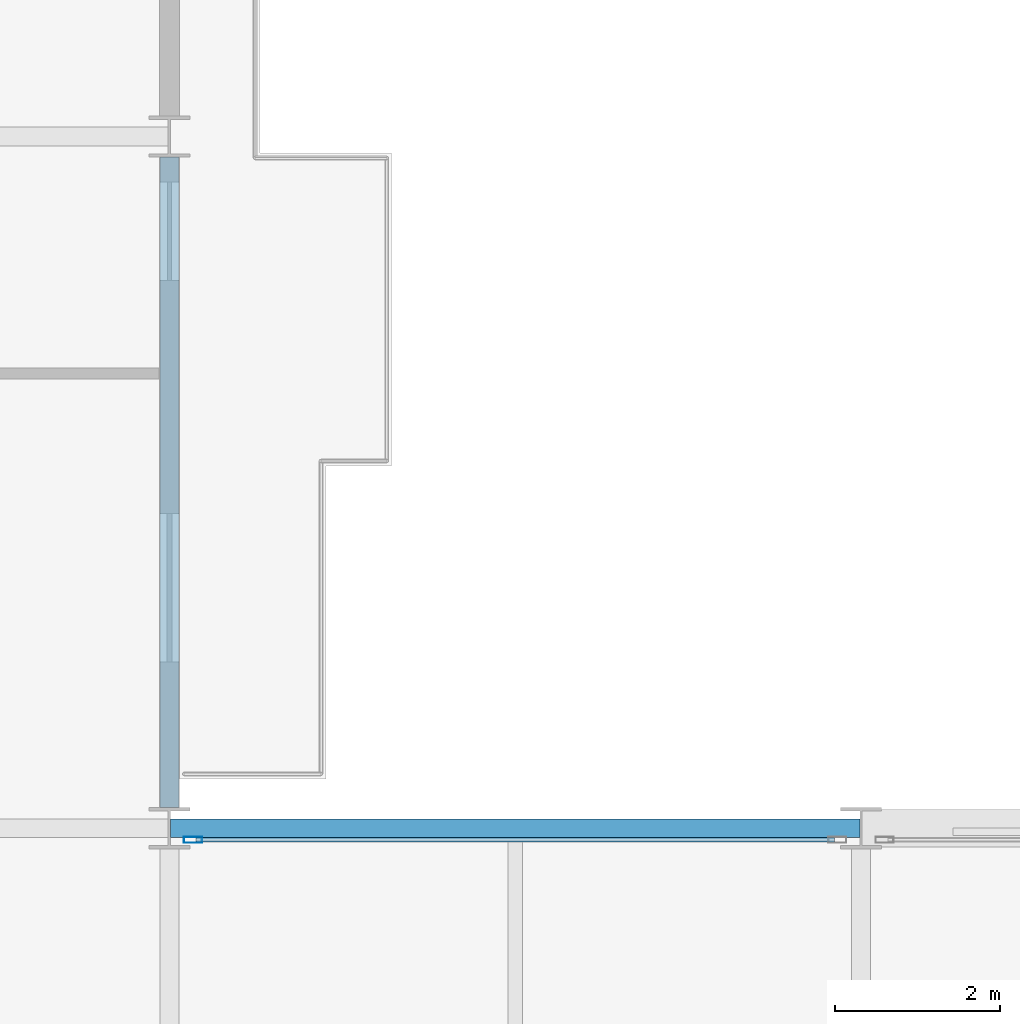
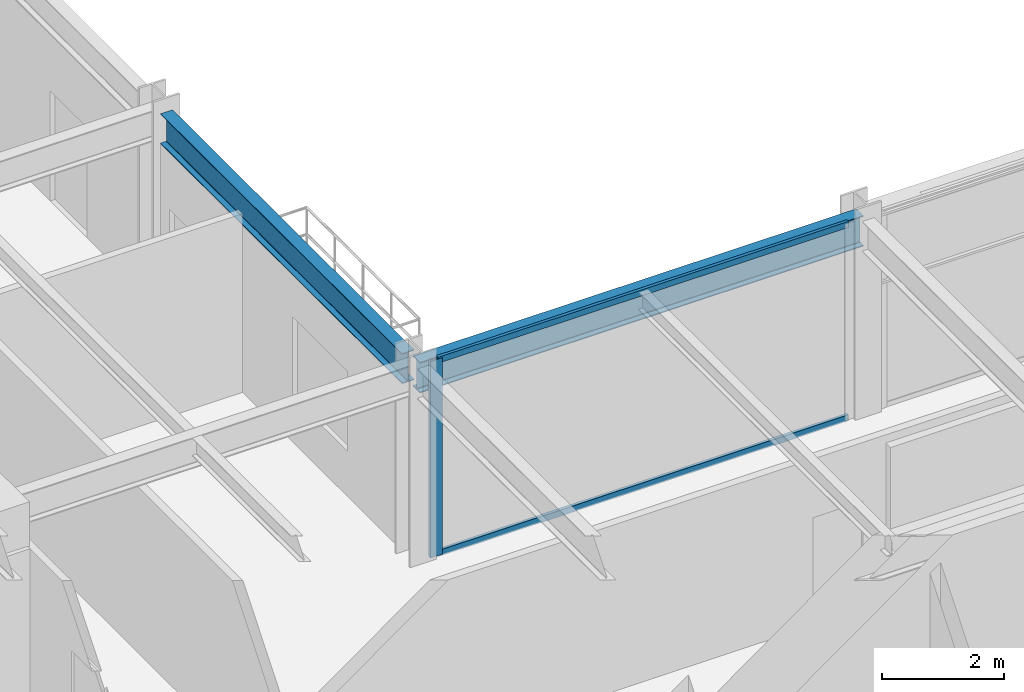
# One storey, part 8 of 25: 3 members, 2 beams, 1 element without a shape of its own.
"""IFC4 building model written with IfcOpenShell, lengths in metres."""

from ifc_helpers import new_model, si_unit, direction, frame, origin, origin_2d, place, context, subcontext, project, spatial, hollow_rectangle, i_section, extrude, material, layer, layer_set, material_profile, profile_set, type_object, element, aggregate, save


model = new_model("IFC4")

# Units and contexts
model_context = context("Model", 3, precision=1e-05, world=origin(), true_north=direction((0.0, 1.0)))
body_context = subcontext(model_context, "Body", "Model", "MODEL_VIEW")
ifc_project = project(units=[si_unit("LENGTHUNIT", "METRE"), si_unit("AREAUNIT", "SQUARE_METRE"), si_unit("VOLUMEUNIT", "CUBIC_METRE"), si_unit("PLANEANGLEUNIT", "RADIAN"), si_unit("MASSUNIT", "GRAM", prefix="KILO")], contexts=[model_context])

# Site, building, storey
site_placement = place(None, origin())
site = spatial("IfcSite", under=ifc_project, at=site_placement, CompositionType="ELEMENT")
building_placement = place(site_placement, origin())
building = spatial("IfcBuilding", under=site, at=building_placement, Name="Nerrivon Quay Data Exchange", CompositionType="ELEMENT")
storey_placement = place(building_placement, frame((0.0, 0.0, 58.39990234375)))
storey = spatial("IfcBuildingStorey", under=building, at=storey_placement, Name="L13", CompositionType="ELEMENT", Elevation=58.39990234375)

# Beams
ifc_material_1 = material(Name="Steel Grade 350", Category="steel")
ifc_material_profile_1 = material_profile(ifc_material_1, i_section(OverallWidth=0.22900390625, OverallDepth=0.612060546875, WebThickness=0.011962890625, FlangeThickness=0.01953125, FilletRadius=0.013916015625, at=origin_2d()), Name="610UB125")
ifc_profile_set_1 = profile_set([ifc_material_profile_1], Name="Steel Grade 350")
beam_type_1 = type_object("IfcBeamType", Name="BM-G1-610UB125", PredefinedType="BEAM", material=ifc_profile_set_1)
beam_1_placement = place(storey_placement, frame((25.214111328125, 25.199951171875, 3.619140625), z_axis=(1.0, 0.0, 0.0), x_axis=(0.0, 1.0, 0.0)))
element("IfcBeam", 1, at=beam_1_placement, inside=storey, type_object=beam_type_1, Name="L13 EW Girder Y=25.2 (25.2..33.6)", PredefinedType="BEAM", context=body_context, shape_type="SweptSolid", body=[
    extrude(i_section(OverallWidth=0.22900390625, OverallDepth=0.612060546875, WebThickness=0.011962890625, FlangeThickness=0.01953125, FilletRadius=0.013916015625, at=origin_2d()), origin(), (0.0, 0.0, 1.0), 8.371826171875),
])
ifc_material_profile_2 = material_profile(ifc_material_1, i_section(OverallWidth=0.22802734375, OverallDepth=0.60205078125, WebThickness=0.010498046875, FlangeThickness=0.014892578125, FilletRadius=0.013916015625, at=origin_2d()), Name="610UB101")
ifc_profile_set_2 = profile_set([ifc_material_profile_2], Name="Steel Grade 350")
beam_type_2 = type_object("IfcBeamType", Name="BM-G2-610UB101", PredefinedType="BEAM", material=ifc_profile_set_2)
beam_2_placement = place(storey_placement, frame((25.199951171875, 25.449951171875, 3.6240234375), z_axis=(0.0, 1.0, 0.0), x_axis=(-1.0, 0.0, 0.0)))
element("IfcBeam", 2, at=beam_2_placement, inside=storey, type_object=beam_type_2, Name="L13 NS Girder X=25.2 (25.2..33.6)", PredefinedType="BEAM", context=body_context, shape_type="SweptSolid", body=[
    extrude(i_section(OverallWidth=0.22802734375, OverallDepth=0.60205078125, WebThickness=0.010498046875, FlangeThickness=0.014892578125, FilletRadius=0.013916015625, at=origin_2d()), origin(), (0.0, 0.0, 1.0), 7.900146484375),
])

# Curtain wall, members
ifc_material_2 = material(Name="Anodised aluminium 6063-T6", Category="aluminium")
ifc_layer = layer(ifc_material_2, 0.219970703125)
ifc_layer_set = layer_set([ifc_layer], Name="Anodised aluminium 6063-T6")
curtain_wall_type = type_object("IfcCurtainWallType", Name="CW-SYS-01", PredefinedType="NOTDEFINED", material=ifc_layer_set)
curtain_wall_placement = place(storey_placement, origin())
curtain_wall = element("IfcCurtainWall", 3, at=curtain_wall_placement, inside=storey, type_object=curtain_wall_type, Name="L13 Unitised Curtain Wall 28", PredefinedType="NOTDEFINED")
ifc_material_profile_3 = material_profile(ifc_material_2, hollow_rectangle(XDim=0.074951171875, YDim=0.219970703125, WallThickness=0.00390625, at=origin_2d()), Name="ALU-MULL-220x75")
ifc_profile_set_3 = profile_set([ifc_material_profile_3], Name="Anodised aluminium 6063-T6")
member_type_1 = type_object("IfcMemberType", Name="CWM-220x75", PredefinedType="MULLION", material=ifc_profile_set_3)
member_1_placement = place(storey_placement, frame((25.487548828125, 25.06005859375, 0.0), z_axis=(0.0, 0.0, 1.0), x_axis=(0.0, 1.0, 0.0)))
member_1 = element("IfcMember", 4, at=member_1_placement, type_object=member_type_1, Name="CW01 mullion 1", PredefinedType="MULLION", context=body_context, shape_type="SweptSolid", body=[
    extrude(hollow_rectangle(XDim=0.074951171875, YDim=0.219970703125, WallThickness=0.00390625, at=origin_2d()), origin(), (0.0, 0.0, 1.0), 3.925048828125),
])
ifc_material_profile_4 = material_profile(ifc_material_2, hollow_rectangle(XDim=0.06005859375, YDim=0.1201171875, WallThickness=0.003173828125, at=origin_2d()), Name="ALU-TRAN-120x60")
ifc_profile_set_4 = profile_set([ifc_material_profile_4], Name="Anodised aluminium 6063-T6")
member_type_2 = type_object("IfcMemberType", Name="CWT-120x60", PredefinedType="USERDEFINED", material=ifc_profile_set_4)
member_2_placement = place(storey_placement, frame((25.52490234375, 25.06005859375, 0.03271484375), z_axis=(1.0, 0.0, 0.0), x_axis=(0.0, 1.0, 0.0)))
member_2 = element("IfcMember", 5, at=member_2_placement, type_object=member_type_2, Name="CW01 transom 1.1", ObjectType="TRANSOM", PredefinedType="USERDEFINED", context=body_context, shape_type="SweptSolid", body=[
    extrude(hollow_rectangle(XDim=0.06005859375, YDim=0.1201171875, WallThickness=0.003173828125, at=origin_2d()), origin(), (0.0, 0.0, 1.0), 7.75),
])
member_3_placement = place(storey_placement, frame((25.52490234375, 25.06005859375, 3.892578125), z_axis=(1.0, 0.0, 0.0), x_axis=(0.0, 1.0, 0.0)))
member_3 = element("IfcMember", 6, at=member_3_placement, type_object=member_type_2, Name="CW01 transom 1.2", ObjectType="TRANSOM", PredefinedType="USERDEFINED", context=body_context, shape_type="SweptSolid", body=[
    extrude(hollow_rectangle(XDim=0.06005859375, YDim=0.1201171875, WallThickness=0.003173828125, at=origin_2d()), origin(), (0.0, 0.0, 1.0), 7.75),
])
aggregate(curtain_wall, [member_1, member_2, member_3])

save(model, "model.ifc")
